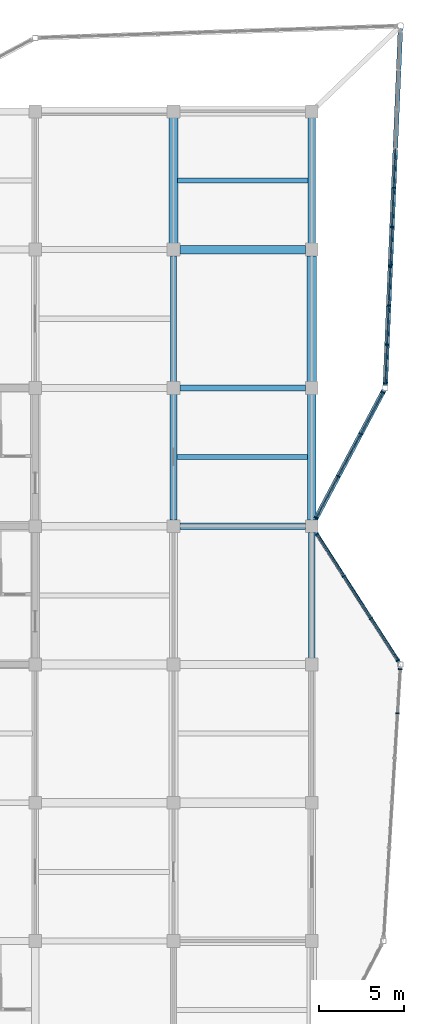
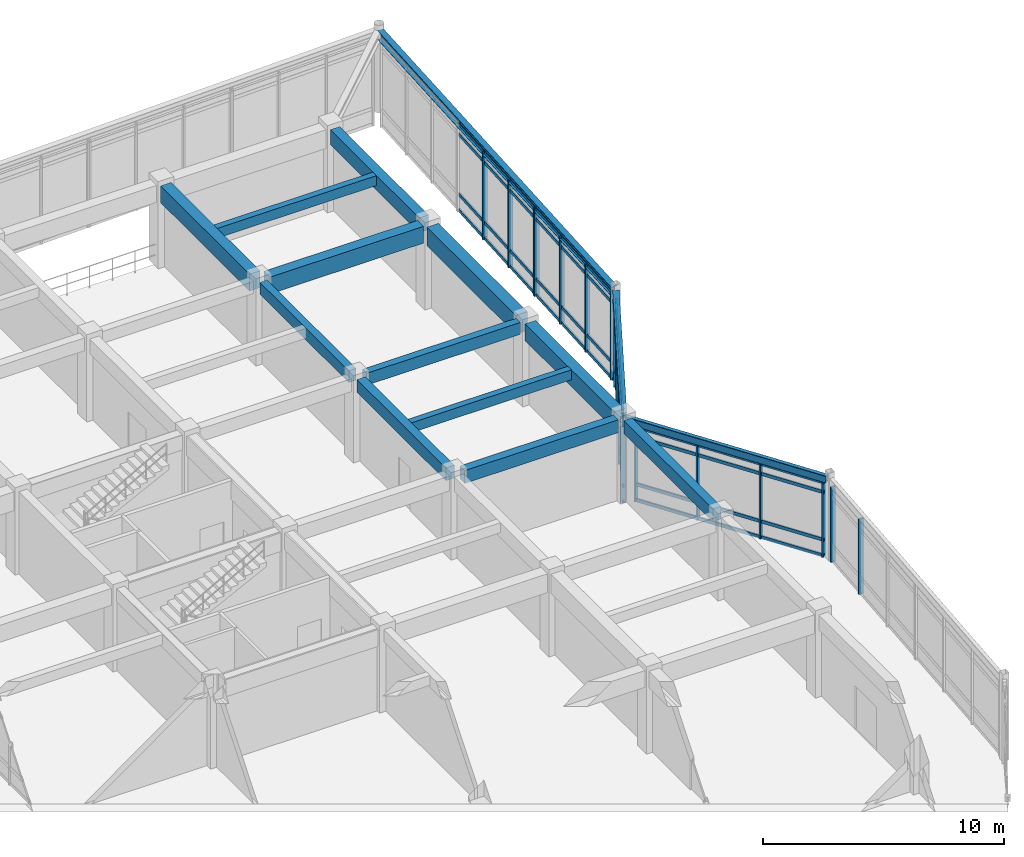
# One storey, part 33 of 70: 33 members, 15 beams, 5 elements without a shape of their own.
"""IFC4 building model written with IfcOpenShell, lengths in metres."""

from ifc_helpers import new_model, si_unit, direction, frame, origin, origin_2d, place, context, subcontext, project, spatial, rectangle, hollow_rectangle, i_section, extrude, material, layer, layer_set, material_profile, profile_set, type_object, element, aggregate, save


model = new_model("IFC4")

# Units and contexts
model_context = context("Model", 3, precision=1e-05, world=origin(), true_north=direction((0.0, 1.0)))
body_context = subcontext(model_context, "Body", "Model", "MODEL_VIEW")
ifc_project = project(units=[si_unit("LENGTHUNIT", "METRE"), si_unit("AREAUNIT", "SQUARE_METRE"), si_unit("VOLUMEUNIT", "CUBIC_METRE"), si_unit("PLANEANGLEUNIT", "RADIAN"), si_unit("MASSUNIT", "GRAM", prefix="KILO")], contexts=[model_context])

# Site, building, storey
site_placement = place(None, origin())
site = spatial("IfcSite", under=ifc_project, at=site_placement, CompositionType="ELEMENT")
building_placement = place(site_placement, origin())
building = spatial("IfcBuilding", under=site, at=building_placement, Name="Vaudrelin Polytechnic", CompositionType="ELEMENT")
storey_placement = place(building_placement, frame((0.0, 0.0, 14.110107421875)))
storey = spatial("IfcBuildingStorey", under=building, at=storey_placement, Name="L03", CompositionType="ELEMENT", Elevation=14.110107421875)

# Beams
ifc_material_1 = material(Name="Concrete 40 MPa", Category="concrete")
ifc_material_profile_1 = material_profile(ifc_material_1, rectangle(XDim=0.35009765625, YDim=0.60009765625, at=origin_2d()), Name="RC350x600")
ifc_profile_set_1 = profile_set([ifc_material_profile_1], Name="Concrete 40 MPa")
beam_type_1 = type_object("IfcBeamType", Name="BM-BM-RC3560", PredefinedType="BEAM", material=ifc_profile_set_1)
beam_1_placement = place(storey_placement, frame((162.0, 105.659912109375, 3.85986328125), z_axis=(0.0, 1.0, 0.0), x_axis=(-1.0, 0.0, 0.0)))
element("IfcBeam", 1, at=beam_1_placement, inside=storey, type_object=beam_type_1, Name="L03 Y-beam 21-14", PredefinedType="BEAM", context=body_context, shape_type="SweptSolid", body=[
    extrude(rectangle(XDim=0.35009765625, YDim=0.60009765625, at=origin_2d()), origin(), (0.0, 0.0, 1.0), 7.380126953125),
])
beam_2_placement = place(storey_placement, frame((162.37109375, 105.300048828125, 3.85986328125), z_axis=(1.0, 0.0, 0.0), x_axis=(0.0, 1.0, 0.0)))
element("IfcBeam", 2, at=beam_2_placement, inside=storey, type_object=beam_type_1, Name="L03 X-beam 21-14", PredefinedType="BEAM", context=body_context, shape_type="SweptSolid", body=[
    extrude(rectangle(XDim=0.35009765625, YDim=0.60009765625, at=origin_2d()), origin(), (0.0, 0.0, 1.0), 7.35791015625),
])
ifc_material_profile_2 = material_profile(ifc_material_1, rectangle(XDim=0.39990234375, YDim=0.64990234375, at=origin_2d()), Name="RC400x650")
ifc_profile_set_2 = profile_set([ifc_material_profile_2], Name="Concrete 40 MPa")
beam_type_2 = type_object("IfcBeamType", Name="BM-BM-RC4065", PredefinedType="BEAM", material=ifc_profile_set_2)
beam_3_placement = place(storey_placement, frame((162.0, 97.56005859375, 3.8349609375), z_axis=(0.0, 1.0, 0.0), x_axis=(-1.0, 0.0, 0.0)))
element("IfcBeam", 3, at=beam_3_placement, inside=storey, type_object=beam_type_2, Name="L03 Y-beam 21-13", PredefinedType="BEAM", context=body_context, shape_type="SweptSolid", body=[
    extrude(rectangle(XDim=0.39990234375, YDim=0.64990234375, at=origin_2d()), origin(), (0.0, 0.0, 1.0), 7.3798828125),
])
beam_4_placement = place(storey_placement, frame((162.37109375, 97.199951171875, 3.8349609375), z_axis=(1.0, 0.0, 0.0), x_axis=(0.0, 1.0, 0.0)))
element("IfcBeam", 4, at=beam_4_placement, inside=storey, type_object=beam_type_2, Name="L03 X-beam 21-13", PredefinedType="BEAM", context=body_context, shape_type="SweptSolid", body=[
    extrude(rectangle(XDim=0.39990234375, YDim=0.64990234375, at=origin_2d()), origin(), (0.0, 0.0, 1.0), 7.35791015625),
])
ifc_material_profile_3 = material_profile(ifc_material_1, rectangle(XDim=0.449951171875, YDim=0.75, at=origin_2d()), Name="RC450x750")
ifc_profile_set_3 = profile_set([ifc_material_profile_3], Name="Concrete 40 MPa")
beam_type_3 = type_object("IfcBeamType", Name="BM-BM-RC4575", PredefinedType="BEAM", material=ifc_profile_set_3)
beam_5_placement = place(storey_placement, frame((170.10009765625, 113.760009765625, 3.784912109375), z_axis=(0.0, 1.0, 0.0), x_axis=(-1.0, 0.0, 0.0)))
element("IfcBeam", 5, at=beam_5_placement, inside=storey, type_object=beam_type_3, Name="L03 Y-beam 22-15", PredefinedType="BEAM", context=body_context, shape_type="SweptSolid", body=[
    extrude(rectangle(XDim=0.449951171875, YDim=0.75, at=origin_2d()), origin(), (0.0, 0.0, 1.0), 7.3798828125),
])
ifc_material_profile_4 = material_profile(ifc_material_1, rectangle(XDim=0.5, YDim=0.85009765625, at=origin_2d()), Name="RC500x850")
ifc_profile_set_4 = profile_set([ifc_material_profile_4], Name="Concrete 40 MPa")
beam_type_4 = type_object("IfcBeamType", Name="BM-BM-RC5085", PredefinedType="BEAM", material=ifc_profile_set_4)
for number, where, z_axis, x_axis, name in (
    (6, (162.0, 113.760009765625, 3.73486328125), (0.0, 1.0, 0.0), (-1.0, 0.0, 0.0), "L03 Y-beam 21-15"),
    (7, (170.10009765625, 97.56005859375, 3.73486328125), (0.0, 1.0, 0.0), (-1.0, 0.0, 0.0), "L03 Y-beam 22-13"),
):
    element("IfcBeam", number, at=place(storey_placement, frame(where, z_axis=z_axis, x_axis=x_axis)), inside=storey, type_object=beam_type_4, Name=name, PredefinedType="BEAM", context=body_context, shape_type="SweptSolid", body=[
        extrude(rectangle(XDim=0.5, YDim=0.85009765625, at=origin_2d()), origin(), (0.0, 0.0, 1.0), 7.3798828125),
    ])
beam_6_placement = place(storey_placement, frame((162.37109375, 113.39990234375, 3.73486328125), z_axis=(1.0, 0.0, 0.0), x_axis=(0.0, 1.0, 0.0)))
element("IfcBeam", 8, at=beam_6_placement, inside=storey, type_object=beam_type_4, Name="L03 X-beam 21-15", PredefinedType="BEAM", context=body_context, shape_type="SweptSolid", body=[
    extrude(rectangle(XDim=0.5, YDim=0.85009765625, at=origin_2d()), origin(), (0.0, 0.0, 1.0), 7.35791015625),
])
ifc_material_2 = material(Name="Concrete 50 MPa", Category="concrete")
ifc_material_profile_5 = material_profile(ifc_material_2, rectangle(XDim=0.550048828125, YDim=0.949951171875, at=origin_2d()), Name="RC550x950")
ifc_profile_set_5 = profile_set([ifc_material_profile_5], Name="Concrete 50 MPa")
beam_type_5 = type_object("IfcBeamType", Name="BM-BM-RC5595", PredefinedType="BEAM", material=ifc_profile_set_5)
beam_7_placement = place(storey_placement, frame((170.10009765625, 105.659912109375, 3.684814453125), z_axis=(0.0, 1.0, 0.0), x_axis=(-1.0, 0.0, 0.0)))
element("IfcBeam", 9, at=beam_7_placement, inside=storey, type_object=beam_type_5, Name="L03 Y-beam 22-14", PredefinedType="BEAM", context=body_context, shape_type="SweptSolid", body=[
    extrude(rectangle(XDim=0.550048828125, YDim=0.949951171875, at=origin_2d()), origin(), (0.0, 0.0, 1.0), 7.380126953125),
])
ifc_material_3 = material(Name="Steel CSA G40.21 350W", Category="steel")
ifc_material_profile_6 = material_profile(ifc_material_3, i_section(OverallWidth=0.280029296875, OverallDepth=0.462890625, WebThickness=0.0107421875, FlangeThickness=0.017333984375, FilletRadius=0.01806640625, at=origin_2d()), Name="W460x113")
ifc_profile_set_6 = profile_set([ifc_material_profile_6], Name="Steel CSA G40.21 350W")
beam_type_6 = type_object("IfcBeamType", Name="BM-BM-W460H", PredefinedType="BEAM", material=ifc_profile_set_6)
beam_8_placement = place(storey_placement, frame((175.294189453125, 126.360107421875, 3.928466796875), z_axis=(-0.042417646122, -0.999099966619, 0.0), x_axis=(0.999099966619, -0.042417646122, 0.0)))
element("IfcBeam", 10, at=beam_8_placement, inside=storey, type_object=beam_type_6, Name="Sculptural edge beam L03 NE_BM_3", PredefinedType="BEAM", context=body_context, shape_type="SweptSolid", body=[
    extrude(i_section(OverallWidth=0.280029296875, OverallDepth=0.462890625, WebThickness=0.0107421875, FlangeThickness=0.017333984375, FilletRadius=0.01806640625, at=origin_2d()), origin(), (0.0, 0.0, 1.0), 20.93896484375),
])
beam_9_placement = place(storey_placement, frame((174.33447265625, 105.17626953125, 3.928466796875), z_axis=(-0.468916952234, -0.883242261165, 0.0), x_axis=(0.883242261165, -0.468916952234, 0.0)))
element("IfcBeam", 11, at=beam_9_placement, inside=storey, type_object=beam_type_6, Name="Sculptural edge beam L03 NE_BM_4", PredefinedType="BEAM", context=body_context, shape_type="SweptSolid", body=[
    extrude(i_section(OverallWidth=0.280029296875, OverallDepth=0.462890625, WebThickness=0.0107421875, FlangeThickness=0.017333984375, FilletRadius=0.01806640625, at=origin_2d()), origin(), (0.0, 0.0, 1.0), 8.890625),
])
ifc_material_profile_7 = material_profile(ifc_material_1, rectangle(XDim=0.300048828125, YDim=0.5, at=origin_2d()), Name="RC300x500")
ifc_profile_set_7 = profile_set([ifc_material_profile_7], Name="Concrete 40 MPa")
beam_type_7 = type_object("IfcBeamType", Name="BM-JS-RC3050", PredefinedType="JOIST", material=ifc_profile_set_7)
beam_10_placement = place(storey_placement, frame((162.196044921875, 101.25, 3.909912109375), z_axis=(1.0, 0.0, 0.0), x_axis=(0.0, 1.0, 0.0)))
element("IfcBeam", 12, at=beam_10_placement, inside=storey, type_object=beam_type_7, Name="L03 floor joist 21-13", PredefinedType="JOIST", context=body_context, shape_type="SweptSolid", body=[
    extrude(rectangle(XDim=0.300048828125, YDim=0.5, at=origin_2d()), origin(), (0.0, 0.0, 1.0), 7.657958984375),
])
beam_11_placement = place(storey_placement, frame((162.24609375, 117.449951171875, 3.909912109375), z_axis=(1.0, 0.0, 0.0), x_axis=(0.0, 1.0, 0.0)))
element("IfcBeam", 13, at=beam_11_placement, inside=storey, type_object=beam_type_7, Name="L03 floor joist 21-15", PredefinedType="JOIST", context=body_context, shape_type="SweptSolid", body=[
    extrude(rectangle(XDim=0.300048828125, YDim=0.5, at=origin_2d()), origin(), (0.0, 0.0, 1.0), 7.6328125),
])
ifc_material_4 = material(Name="Steel CSA G40.21 350WT", Category="steel")
ifc_material_profile_8 = material_profile(ifc_material_4, hollow_rectangle(XDim=0.202880859375, YDim=0.35595703125, WallThickness=0.0126953125, InnerFilletRadius=0.0126953125, OuterFilletRadius=0.025390625, at=origin_2d()), Name="HSS356x203x12.7")
ifc_profile_set_8 = profile_set([ifc_material_profile_8], Name="Steel CSA G40.21 350WT")
beam_type_8 = type_object("IfcBeamType", Name="BM-SP-HSS35", PredefinedType="SPANDREL", material=ifc_profile_set_8)
beam_12_placement = place(storey_placement, frame((175.224365234375, 89.2177734375, 3.98193359375), z_axis=(-0.540233319411, 0.841515276509, 0.0), x_axis=(-0.841515276509, -0.540233319411, 0.0)))
element("IfcBeam", 14, at=beam_12_placement, inside=storey, type_object=beam_type_8, Name="Sculptural edge beam L03 E_OR2_B3", PredefinedType="SPANDREL", context=body_context, shape_type="SweptSolid", body=[
    extrude(hollow_rectangle(XDim=0.202880859375, YDim=0.35595703125, WallThickness=0.0126953125, InnerFilletRadius=0.0126953125, OuterFilletRadius=0.025390625, at=origin_2d()), origin(), (0.0, 0.0, 1.0), 9.345703125),
])
ifc_material_profile_9 = material_profile(ifc_material_1, rectangle(XDim=0.39990234375, YDim=0.64990234375, at=origin_2d()), Name="RC400x650")
ifc_profile_set_9 = profile_set([ifc_material_profile_9], Name="Concrete 40 MPa")
beam_type_9 = type_object("IfcBeamType", Name="BM-SP-RC4065", PredefinedType="SPANDREL", material=ifc_profile_set_9)
beam_13_placement = place(storey_placement, frame((170.10009765625, 89.4599609375, 3.8349609375), z_axis=(0.0, 1.0, 0.0), x_axis=(-1.0, 0.0, 0.0)))
element("IfcBeam", 15, at=beam_13_placement, inside=storey, type_object=beam_type_9, Name="L03 Y-beam 22-12", PredefinedType="SPANDREL", context=body_context, shape_type="SweptSolid", body=[
    extrude(rectangle(XDim=0.39990234375, YDim=0.64990234375, at=origin_2d()), origin(), (0.0, 0.0, 1.0), 7.380126953125),
])

# Curtain wall, members
ifc_material_5 = material(Name="Thermally broken anodised aluminium AA 6063-T6 and low-e triple glazing", Category="aluminium")
ifc_layer = layer(ifc_material_5, 0.199951171875)
ifc_layer_set = layer_set([ifc_layer], Name="Thermally broken anodised aluminium AA 6063-T6 and low-e triple glazing")
curtain_wall_type = type_object("IfcCurtainWallType", Name="CW-CW-LAB", PredefinedType="USERDEFINED", material=ifc_layer_set)
curtain_wall_1_placement = place(storey_placement, origin())
curtain_wall_1 = element("IfcCurtainWall", 16, at=curtain_wall_1_placement, inside=storey, type_object=curtain_wall_type, Name="Curtain wall L03 NEP_3_1", ObjectType="CURTAIN WALL", PredefinedType="USERDEFINED")
ifc_material_6 = material(Name="Anodised aluminium AA 6063-T6", Category="aluminium")
ifc_material_profile_10 = material_profile(ifc_material_6, rectangle(XDim=0.074951171875, YDim=0.219970703125, at=origin_2d()), Name="CWM-75x220")
ifc_profile_set_10 = profile_set([ifc_material_profile_10], Name="Anodised aluminium AA 6063-T6")
member_type_1 = type_object("IfcMemberType", Name="MEM-CWM-220", PredefinedType="MULLION", material=ifc_profile_set_10)
member_1_placement = place(storey_placement, frame((174.897705078125, 117.023193359375, -0.630126953125), z_axis=(0.0, 0.0, 1.0), x_axis=(-0.042405411318, -0.999100485983, 0.0)))
member_1 = element("IfcMember", 17, at=member_1_placement, type_object=member_type_1, Name="NEP_3_1 mullion 2", PredefinedType="MULLION", context=body_context, shape_type="SweptSolid", body=[
    extrude(rectangle(XDim=0.074951171875, YDim=0.219970703125, at=origin_2d()), origin(), (0.0, 0.0, 1.0), 4.43994140625),
])
member_2_placement = place(storey_placement, frame((174.80029296875, 114.72607421875, -0.630126953125), z_axis=(0.0, 0.0, 1.0), x_axis=(-0.042405411318, -0.999100485983, 0.0)))
member_2 = element("IfcMember", 18, at=member_2_placement, type_object=member_type_1, Name="NEP_3_1 mullion 3", PredefinedType="MULLION", context=body_context, shape_type="SweptSolid", body=[
    extrude(rectangle(XDim=0.074951171875, YDim=0.219970703125, at=origin_2d()), origin(), (0.0, 0.0, 1.0), 4.43994140625),
])
member_3_placement = place(storey_placement, frame((174.704345703125, 112.468994140625, -0.630126953125), z_axis=(0.0, 0.0, 1.0), x_axis=(-0.042405411318, -0.999100485983, 0.0)))
member_3 = element("IfcMember", 19, at=member_3_placement, type_object=member_type_1, Name="NEP_3_1 mullion 4", PredefinedType="MULLION", context=body_context, shape_type="SweptSolid", body=[
    extrude(rectangle(XDim=0.074951171875, YDim=0.219970703125, at=origin_2d()), origin(), (0.0, 0.0, 1.0), 4.43994140625),
])

curtain_wall_2_placement = place(storey_placement, origin())
curtain_wall_2 = element("IfcCurtainWall", 20, at=curtain_wall_2_placement, inside=storey, type_object=curtain_wall_type, Name="Curtain wall L03 NEP_3_2", ObjectType="CURTAIN WALL", PredefinedType="USERDEFINED")
member_4_placement = place(storey_placement, frame((174.700927734375, 112.388916015625, -0.630126953125), z_axis=(0.0, 0.0, 1.0), x_axis=(-0.042419882824, -0.999099871655, 0.0)))
member_4 = element("IfcMember", 21, at=member_4_placement, type_object=member_type_1, Name="NEP_3_2 mullion 1", PredefinedType="MULLION", context=body_context, shape_type="SweptSolid", body=[
    extrude(rectangle(XDim=0.074951171875, YDim=0.219970703125, at=origin_2d()), origin(), (0.0, 0.0, 1.0), 4.43994140625),
])
member_5_placement = place(storey_placement, frame((174.605224609375, 110.131591796875, -0.630126953125), z_axis=(0.0, 0.0, 1.0), x_axis=(-0.042419882824, -0.999099871655, 0.0)))
member_5 = element("IfcMember", 22, at=member_5_placement, type_object=member_type_1, Name="NEP_3_2 mullion 2", PredefinedType="MULLION", context=body_context, shape_type="SweptSolid", body=[
    extrude(rectangle(XDim=0.074951171875, YDim=0.219970703125, at=origin_2d()), origin(), (0.0, 0.0, 1.0), 4.43994140625),
])
member_6_placement = place(storey_placement, frame((174.507568359375, 107.834716796875, -0.630126953125), z_axis=(0.0, 0.0, 1.0), x_axis=(-0.042419882824, -0.999099871655, 0.0)))
member_6 = element("IfcMember", 23, at=member_6_placement, type_object=member_type_1, Name="NEP_3_2 mullion 3", PredefinedType="MULLION", context=body_context, shape_type="SweptSolid", body=[
    extrude(rectangle(XDim=0.074951171875, YDim=0.219970703125, at=origin_2d()), origin(), (0.0, 0.0, 1.0), 4.43994140625),
])
member_7_placement = place(storey_placement, frame((174.411865234375, 105.577392578125, -0.630126953125), z_axis=(0.0, 0.0, 1.0), x_axis=(-0.042419882824, -0.999099871655, 0.0)))
member_7 = element("IfcMember", 24, at=member_7_placement, type_object=member_type_1, Name="NEP_3_2 mullion 4", PredefinedType="MULLION", context=body_context, shape_type="SweptSolid", body=[
    extrude(rectangle(XDim=0.074951171875, YDim=0.219970703125, at=origin_2d()), origin(), (0.0, 0.0, 1.0), 4.43994140625),
])

curtain_wall_3_placement = place(storey_placement, origin())
curtain_wall_3 = element("IfcCurtainWall", 25, at=curtain_wall_3_placement, inside=storey, type_object=curtain_wall_type, Name="Curtain wall L03 NEP_4_0", ObjectType="CURTAIN WALL", PredefinedType="USERDEFINED")
member_8_placement = place(storey_placement, frame((174.260498046875, 105.037109375, -0.630126953125), z_axis=(0.0, 0.0, 1.0), x_axis=(-0.468895635288, -0.88325357809, 0.0)))
member_8 = element("IfcMember", 26, at=member_8_placement, type_object=member_type_1, Name="NEP_4_0 mullion 1", PredefinedType="MULLION", context=body_context, shape_type="SweptSolid", body=[
    extrude(rectangle(XDim=0.074951171875, YDim=0.219970703125, at=origin_2d()), origin(), (0.0, 0.0, 1.0), 4.43994140625),
])
member_9_placement = place(storey_placement, frame((172.9658203125, 102.598388671875, -0.630126953125), z_axis=(0.0, 0.0, 1.0), x_axis=(-0.468895635288, -0.88325357809, 0.0)))
member_9 = element("IfcMember", 27, at=member_9_placement, type_object=member_type_1, Name="NEP_4_0 mullion 2", PredefinedType="MULLION", context=body_context, shape_type="SweptSolid", body=[
    extrude(rectangle(XDim=0.074951171875, YDim=0.219970703125, at=origin_2d()), origin(), (0.0, 0.0, 1.0), 4.43994140625),
])
member_10_placement = place(storey_placement, frame((171.65234375, 100.124267578125, -0.630126953125), z_axis=(0.0, 0.0, 1.0), x_axis=(-0.468895635288, -0.88325357809, 0.0)))
member_10 = element("IfcMember", 28, at=member_10_placement, type_object=member_type_1, Name="NEP_4_0 mullion 3", PredefinedType="MULLION", context=body_context, shape_type="SweptSolid", body=[
    extrude(rectangle(XDim=0.074951171875, YDim=0.219970703125, at=origin_2d()), origin(), (0.0, 0.0, 1.0), 4.43994140625),
])
member_11_placement = place(storey_placement, frame((170.357666015625, 97.685302734375, -0.630126953125), z_axis=(0.0, 0.0, 1.0), x_axis=(-0.468895635288, -0.88325357809, 0.0)))
member_11 = element("IfcMember", 29, at=member_11_placement, type_object=member_type_1, Name="NEP_4_0 mullion 4", PredefinedType="MULLION", context=body_context, shape_type="SweptSolid", body=[
    extrude(rectangle(XDim=0.074951171875, YDim=0.219970703125, at=origin_2d()), origin(), (0.0, 0.0, 1.0), 4.43994140625),
])

curtain_wall_4_placement = place(storey_placement, origin())
curtain_wall_4 = element("IfcCurtainWall", 30, at=curtain_wall_4_placement, inside=storey, type_object=curtain_wall_type, Name="Curtain wall L03 E_OR2_2_1", ObjectType="CURTAIN WALL", PredefinedType="USERDEFINED")
member_12_placement = place(storey_placement, frame((175.12353515625, 86.24169921875, 0.0), z_axis=(0.0, 0.0, 1.0), x_axis=(0.061604568165, 0.998100634797, 0.0)))
member_12 = element("IfcMember", 31, at=member_12_placement, type_object=member_type_1, Name="E_OR2_2_1 mullion 3", PredefinedType="MULLION", context=body_context, shape_type="SweptSolid", body=[
    extrude(rectangle(XDim=0.074951171875, YDim=0.219970703125, at=origin_2d()), origin(), (0.0, 0.0, 1.0), 3.809814453125),
])
member_13_placement = place(storey_placement, frame((175.28271484375, 88.82275390625, 0.0), z_axis=(0.0, 0.0, 1.0), x_axis=(0.061604568165, 0.998100634797, 0.0)))
member_13 = element("IfcMember", 32, at=member_13_placement, type_object=member_type_1, Name="E_OR2_2_1 mullion 4", PredefinedType="MULLION", context=body_context, shape_type="SweptSolid", body=[
    extrude(rectangle(XDim=0.074951171875, YDim=0.219970703125, at=origin_2d()), origin(), (0.0, 0.0, 1.0), 3.809814453125),
])
aggregate(curtain_wall_4, [member_12, member_13])

curtain_wall_5_placement = place(storey_placement, origin())
curtain_wall_5 = element("IfcCurtainWall", 33, at=curtain_wall_5_placement, inside=storey, type_object=curtain_wall_type, Name="Curtain wall L03 E_OR2_3_0", ObjectType="CURTAIN WALL", PredefinedType="USERDEFINED")
member_14_placement = place(storey_placement, frame((175.134521484375, 89.357666015625, 0.0), z_axis=(0.0, 0.0, 1.0), x_axis=(-0.54022794974, 0.841518723689, 0.0)))
member_14 = element("IfcMember", 34, at=member_14_placement, type_object=member_type_1, Name="E_OR2_3_0 mullion 1", PredefinedType="MULLION", context=body_context, shape_type="SweptSolid", body=[
    extrude(rectangle(XDim=0.074951171875, YDim=0.219970703125, at=origin_2d()), origin(), (0.0, 0.0, 1.0), 3.809814453125),
])
member_15_placement = place(storey_placement, frame((173.56640625, 91.800537109375, 0.0), z_axis=(0.0, 0.0, 1.0), x_axis=(-0.54022794974, 0.841518723689, 0.0)))
member_15 = element("IfcMember", 35, at=member_15_placement, type_object=member_type_1, Name="E_OR2_3_0 mullion 2", PredefinedType="MULLION", context=body_context, shape_type="SweptSolid", body=[
    extrude(rectangle(XDim=0.074951171875, YDim=0.219970703125, at=origin_2d()), origin(), (0.0, 0.0, 1.0), 3.809814453125),
])
member_16_placement = place(storey_placement, frame((171.9765625, 94.277099609375, 0.0), z_axis=(0.0, 0.0, 1.0), x_axis=(-0.54022794974, 0.841518723689, 0.0)))
member_16 = element("IfcMember", 36, at=member_16_placement, type_object=member_type_1, Name="E_OR2_3_0 mullion 3", PredefinedType="MULLION", context=body_context, shape_type="SweptSolid", body=[
    extrude(rectangle(XDim=0.074951171875, YDim=0.219970703125, at=origin_2d()), origin(), (0.0, 0.0, 1.0), 3.809814453125),
])
member_17_placement = place(storey_placement, frame((170.408203125, 96.7197265625, 0.0), z_axis=(0.0, 0.0, 1.0), x_axis=(-0.54022794974, 0.841518723689, 0.0)))
member_17 = element("IfcMember", 37, at=member_17_placement, type_object=member_type_1, Name="E_OR2_3_0 mullion 4", PredefinedType="MULLION", context=body_context, shape_type="SweptSolid", body=[
    extrude(rectangle(XDim=0.074951171875, YDim=0.219970703125, at=origin_2d()), origin(), (0.0, 0.0, 1.0), 3.809814453125),
])

# Member
ifc_material_profile_11 = material_profile(ifc_material_6, rectangle(XDim=0.074951171875, YDim=0.1650390625, at=origin_2d()), Name="CWT-75x165")
ifc_profile_set_11 = profile_set([ifc_material_profile_11], Name="Anodised aluminium AA 6063-T6")
member_type_2 = type_object("IfcMemberType", Name="MEM-CWT-165", PredefinedType="USERDEFINED", material=ifc_profile_set_11)
member_18_placement = place(storey_placement, frame((174.9951171875, 119.3203125, -0.580078125), z_axis=(-0.042403460566, -0.999100568778, 0.0), x_axis=(0.999100568778, -0.042403460566, 0.0)))
member_18 = element("IfcMember", 38, at=member_18_placement, type_object=member_type_2, Name="NEP_3_1 transom 1", ObjectType="TRANSOM", PredefinedType="USERDEFINED", context=body_context, shape_type="SweptSolid", body=[
    extrude(rectangle(XDim=0.074951171875, YDim=0.1650390625, at=origin_2d()), origin(), (0.0, 0.0, 1.0), 6.8974609375),
])

member_19_placement = place(storey_placement, frame((174.9951171875, 119.3203125, 0.219970703125), z_axis=(-0.042403460566, -0.999100568778, 0.0), x_axis=(0.999100568778, -0.042403460566, 0.0)))
member_19 = element("IfcMember", 39, at=member_19_placement, type_object=member_type_2, Name="NEP_3_1 transom 2", ObjectType="TRANSOM", PredefinedType="USERDEFINED", context=body_context, shape_type="SweptSolid", body=[
    extrude(rectangle(XDim=0.074951171875, YDim=0.1650390625, at=origin_2d()), origin(), (0.0, 0.0, 1.0), 6.8974609375),
])

member_20_placement = place(storey_placement, frame((174.9951171875, 119.3203125, 3.260009765625), z_axis=(-0.042403460566, -0.999100568778, 0.0), x_axis=(0.999100568778, -0.042403460566, 0.0)))
member_20 = element("IfcMember", 40, at=member_20_placement, type_object=member_type_2, Name="NEP_3_1 transom 3", ObjectType="TRANSOM", PredefinedType="USERDEFINED", context=body_context, shape_type="SweptSolid", body=[
    extrude(rectangle(XDim=0.074951171875, YDim=0.1650390625, at=origin_2d()), origin(), (0.0, 0.0, 1.0), 6.8974609375),
])

member_21_placement = place(storey_placement, frame((174.9951171875, 119.3203125, 3.760009765625), z_axis=(-0.042403460566, -0.999100568778, 0.0), x_axis=(0.999100568778, -0.042403460566, 0.0)))
member_21 = element("IfcMember", 41, at=member_21_placement, type_object=member_type_2, Name="NEP_3_1 transom 4", ObjectType="TRANSOM", PredefinedType="USERDEFINED", context=body_context, shape_type="SweptSolid", body=[
    extrude(rectangle(XDim=0.074951171875, YDim=0.1650390625, at=origin_2d()), origin(), (0.0, 0.0, 1.0), 6.8974609375),
])

aggregate(curtain_wall_1, [member_1, member_2, member_3, member_18, member_19, member_20, member_21])

member_22_placement = place(storey_placement, frame((174.70263671875, 112.428955078125, -0.580078125), z_axis=(-0.04240196109, -0.999100632417, 0.0), x_axis=(0.999100632417, -0.04240196109, 0.0)))
member_22 = element("IfcMember", 42, at=member_22_placement, type_object=member_type_2, Name="NEP_3_2 transom 1", ObjectType="TRANSOM", PredefinedType="USERDEFINED", context=body_context, shape_type="SweptSolid", body=[
    extrude(rectangle(XDim=0.074951171875, YDim=0.1650390625, at=origin_2d()), origin(), (0.0, 0.0, 1.0), 6.897705078125),
])

member_23_placement = place(storey_placement, frame((174.70263671875, 112.428955078125, 0.219970703125), z_axis=(-0.04240196109, -0.999100632417, 0.0), x_axis=(0.999100632417, -0.04240196109, 0.0)))
member_23 = element("IfcMember", 43, at=member_23_placement, type_object=member_type_2, Name="NEP_3_2 transom 2", ObjectType="TRANSOM", PredefinedType="USERDEFINED", context=body_context, shape_type="SweptSolid", body=[
    extrude(rectangle(XDim=0.074951171875, YDim=0.1650390625, at=origin_2d()), origin(), (0.0, 0.0, 1.0), 6.897705078125),
])

member_24_placement = place(storey_placement, frame((174.70263671875, 112.428955078125, 3.260009765625), z_axis=(-0.04240196109, -0.999100632417, 0.0), x_axis=(0.999100632417, -0.04240196109, 0.0)))
member_24 = element("IfcMember", 44, at=member_24_placement, type_object=member_type_2, Name="NEP_3_2 transom 3", ObjectType="TRANSOM", PredefinedType="USERDEFINED", context=body_context, shape_type="SweptSolid", body=[
    extrude(rectangle(XDim=0.074951171875, YDim=0.1650390625, at=origin_2d()), origin(), (0.0, 0.0, 1.0), 6.897705078125),
])

member_25_placement = place(storey_placement, frame((174.70263671875, 112.428955078125, 3.760009765625), z_axis=(-0.04240196109, -0.999100632417, 0.0), x_axis=(0.999100632417, -0.04240196109, 0.0)))
member_25 = element("IfcMember", 45, at=member_25_placement, type_object=member_type_2, Name="NEP_3_2 transom 4", ObjectType="TRANSOM", PredefinedType="USERDEFINED", context=body_context, shape_type="SweptSolid", body=[
    extrude(rectangle(XDim=0.074951171875, YDim=0.1650390625, at=origin_2d()), origin(), (0.0, 0.0, 1.0), 6.897705078125),
])

aggregate(curtain_wall_2, [member_4, member_5, member_6, member_7, member_22, member_23, member_24, member_25])

member_26_placement = place(storey_placement, frame((174.279296875, 105.072509765625, -0.580078125), z_axis=(-0.468904556068, -0.883248842229, 0.0), x_axis=(0.883248842229, -0.468904556068, 0.0)))
member_26 = element("IfcMember", 46, at=member_26_placement, type_object=member_type_2, Name="NEP_4_0 transom 1", ObjectType="TRANSOM", PredefinedType="USERDEFINED", context=body_context, shape_type="SweptSolid", body=[
    extrude(rectangle(XDim=0.074951171875, YDim=0.1650390625, at=origin_2d()), origin(), (0.0, 0.0, 1.0), 8.403564453125),
])

member_27_placement = place(storey_placement, frame((174.279296875, 105.072509765625, 0.219970703125), z_axis=(-0.468904556068, -0.883248842229, 0.0), x_axis=(0.883248842229, -0.468904556068, 0.0)))
member_27 = element("IfcMember", 47, at=member_27_placement, type_object=member_type_2, Name="NEP_4_0 transom 2", ObjectType="TRANSOM", PredefinedType="USERDEFINED", context=body_context, shape_type="SweptSolid", body=[
    extrude(rectangle(XDim=0.074951171875, YDim=0.1650390625, at=origin_2d()), origin(), (0.0, 0.0, 1.0), 8.403564453125),
])

member_28_placement = place(storey_placement, frame((174.279296875, 105.072509765625, 3.260009765625), z_axis=(-0.468904556068, -0.883248842229, 0.0), x_axis=(0.883248842229, -0.468904556068, 0.0)))
member_28 = element("IfcMember", 48, at=member_28_placement, type_object=member_type_2, Name="NEP_4_0 transom 3", ObjectType="TRANSOM", PredefinedType="USERDEFINED", context=body_context, shape_type="SweptSolid", body=[
    extrude(rectangle(XDim=0.074951171875, YDim=0.1650390625, at=origin_2d()), origin(), (0.0, 0.0, 1.0), 8.403564453125),
])

member_29_placement = place(storey_placement, frame((174.279296875, 105.072509765625, 3.760009765625), z_axis=(-0.468904556068, -0.883248842229, 0.0), x_axis=(0.883248842229, -0.468904556068, 0.0)))
member_29 = element("IfcMember", 49, at=member_29_placement, type_object=member_type_2, Name="NEP_4_0 transom 4", ObjectType="TRANSOM", PredefinedType="USERDEFINED", context=body_context, shape_type="SweptSolid", body=[
    extrude(rectangle(XDim=0.074951171875, YDim=0.1650390625, at=origin_2d()), origin(), (0.0, 0.0, 1.0), 8.403564453125),
])

aggregate(curtain_wall_3, [member_8, member_9, member_10, member_11, member_26, member_27, member_28, member_29])

member_30_placement = place(storey_placement, frame((175.15625, 89.323974609375, 0.0498046875), z_axis=(-0.540233372907, 0.841515242166, 0.0), x_axis=(-0.841515242166, -0.540233372907, 0.0)))
member_30 = element("IfcMember", 50, at=member_30_placement, type_object=member_type_2, Name="E_OR2_3_0 transom 1", ObjectType="TRANSOM", PredefinedType="USERDEFINED", context=body_context, shape_type="SweptSolid", body=[
    extrude(rectangle(XDim=0.074951171875, YDim=0.1650390625, at=origin_2d()), origin(), (0.0, 0.0, 1.0), 8.82861328125),
])

member_31_placement = place(storey_placement, frame((175.15625, 89.323974609375, 0.849853515625), z_axis=(-0.540233372907, 0.841515242166, 0.0), x_axis=(-0.841515242166, -0.540233372907, 0.0)))
member_31 = element("IfcMember", 51, at=member_31_placement, type_object=member_type_2, Name="E_OR2_3_0 transom 2", ObjectType="TRANSOM", PredefinedType="USERDEFINED", context=body_context, shape_type="SweptSolid", body=[
    extrude(rectangle(XDim=0.074951171875, YDim=0.1650390625, at=origin_2d()), origin(), (0.0, 0.0, 1.0), 8.82861328125),
])

member_32_placement = place(storey_placement, frame((175.15625, 89.323974609375, 3.260009765625), z_axis=(-0.540233372907, 0.841515242166, 0.0), x_axis=(-0.841515242166, -0.540233372907, 0.0)))
member_32 = element("IfcMember", 52, at=member_32_placement, type_object=member_type_2, Name="E_OR2_3_0 transom 3", ObjectType="TRANSOM", PredefinedType="USERDEFINED", context=body_context, shape_type="SweptSolid", body=[
    extrude(rectangle(XDim=0.074951171875, YDim=0.1650390625, at=origin_2d()), origin(), (0.0, 0.0, 1.0), 8.82861328125),
])

member_33_placement = place(storey_placement, frame((175.15625, 89.323974609375, 3.760009765625), z_axis=(-0.540233372907, 0.841515242166, 0.0), x_axis=(-0.841515242166, -0.540233372907, 0.0)))
member_33 = element("IfcMember", 53, at=member_33_placement, type_object=member_type_2, Name="E_OR2_3_0 transom 4", ObjectType="TRANSOM", PredefinedType="USERDEFINED", context=body_context, shape_type="SweptSolid", body=[
    extrude(rectangle(XDim=0.074951171875, YDim=0.1650390625, at=origin_2d()), origin(), (0.0, 0.0, 1.0), 8.82861328125),
])

aggregate(curtain_wall_5, [member_14, member_15, member_16, member_17, member_30, member_31, member_32, member_33])

save(model, "model.ifc")
